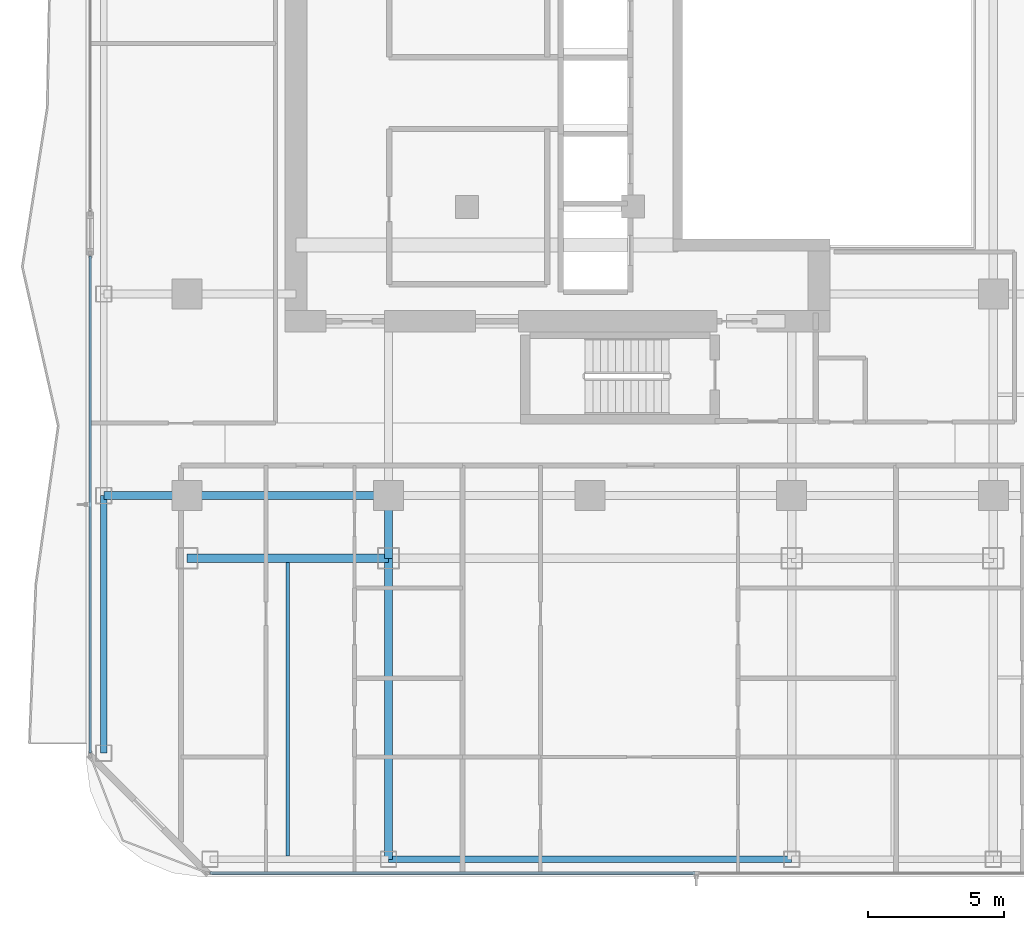
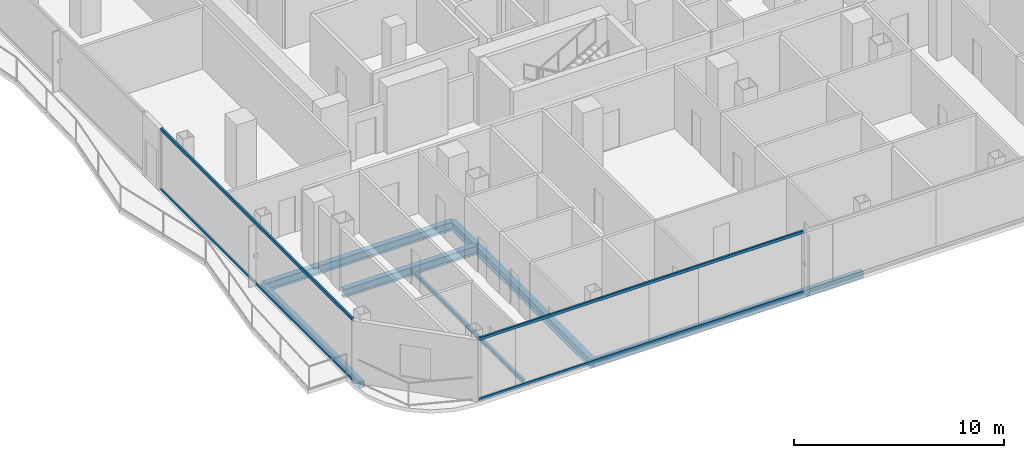
# One storey, part 3 of 27: 8 beams, 4 members, 2 elements without a shape of their own.
"""IFC4 building model written with IfcOpenShell, lengths in metres."""

import ifcopenshell
import ifcopenshell.guid

model = None  # the IFC model being written
_history = None  # IfcOwnerHistory: only IFC2X3 demands one
_inside = {}  # id of a spatial element -> (the spatial element, [elements in it])
_under = {}  # id of a project, library or spatial element -> (it, [spatial elements below it])
_declared = {}  # id of a project -> (the project, [libraries it declares])
_typed = {}  # id of a type object -> (the type object, [elements of that type])
_made_of = {}  # id of a material, layer set ... -> (it, [elements and type objects made of it])


def new_model(schema):
    """Start an empty IFC model of exactly this schema.

    Asked for "IFC4X3", IfcOpenShell would pick the latest addendum, in which some entities
    have other attributes; the version numbers below select the first issue.
    IFC2X3 requires an IfcOwnerHistory on every rooted entity: one is made here for all.
    """
    global model, _history
    if schema == "IFC4X3":
        model = ifcopenshell.file(schema_version=(4, 3, 0, 0))
    else:
        model = ifcopenshell.file(schema=schema)
    _inside.clear()
    _under.clear()
    _declared.clear()
    _typed.clear()
    _made_of.clear()
    _history = None
    if model.schema == "IFC2X3":
        org = make("IfcOrganization", Name="unknown")
        user = make(
            "IfcPersonAndOrganization",
            ThePerson=make("IfcPerson", FamilyName="unknown"),
            TheOrganization=org,
        )
        app = make(
            "IfcApplication",
            ApplicationDeveloper=org,
            Version="unknown",
            ApplicationFullName="unknown",
            ApplicationIdentifier="unknown",
        )
        _history = make(
            "IfcOwnerHistory",
            OwningUser=user,
            OwningApplication=app,
            ChangeAction="ADDED",
            CreationDate=0,
        )
    return model


def make(cls, **values):
    """One entity of the class cls with the attributes given. An attribute that is None is left unset."""
    return model.create_entity(
        cls, **{name: value for name, value in values.items() if value is not None}
    )


def rooted(cls, **values):
    """An entity with a GlobalId (a new one), such as an element, a storey or a relation."""
    return make(cls, GlobalId=ifcopenshell.guid.new(), OwnerHistory=_history, **values)


def si_unit(unit_type, name, prefix=None):
    """IfcSIUnit, for example si_unit("LENGTHUNIT", "METRE", prefix="MILLI")."""
    return make("IfcSIUnit", UnitType=unit_type, Prefix=prefix, Name=name)


def assignment(units):
    """IfcUnitAssignment: the units of a project."""
    return None if units is None else make("IfcUnitAssignment", Units=units)


def point(xyz):
    """IfcCartesianPoint."""
    return None if xyz is None else make("IfcCartesianPoint", Coordinates=xyz)


def direction(xyz):
    """IfcDirection."""
    return None if xyz is None else make("IfcDirection", DirectionRatios=xyz)


def frame(location, z_axis=None, x_axis=None):
    """IfcAxis2Placement3D, a coordinate frame: its origin and axes. An axis left out is left unset."""
    return make(
        "IfcAxis2Placement3D",
        Location=point(location),
        Axis=direction(z_axis),
        RefDirection=direction(x_axis),
    )


def frame_2d(location, x_axis=None):
    """IfcAxis2Placement2D, a coordinate frame in the plane: its origin and x axis."""
    return make(
        "IfcAxis2Placement2D", Location=point(location), RefDirection=direction(x_axis)
    )


def origin():
    """The frame at (0, 0, 0) with its axes left unset."""
    return frame((0.0, 0.0, 0.0))


def origin_2d():
    """The frame at (0, 0) in the plane with its x axis left unset."""
    return frame_2d((0.0, 0.0))


def place(relative_to, where):
    """IfcLocalPlacement: puts the frame where relative to a parent placement (None: the world)."""
    return make(
        "IfcLocalPlacement", PlacementRelTo=relative_to, RelativePlacement=where
    )


def context(
    kind, dimensions, precision=None, world=None, true_north=None, identifier=None
):
    """IfcGeometricRepresentationContext, for example the 3D "Model" context."""
    return make(
        "IfcGeometricRepresentationContext",
        ContextIdentifier=identifier,
        ContextType=kind,
        CoordinateSpaceDimension=dimensions,
        Precision=precision,
        WorldCoordinateSystem=world,
        TrueNorth=true_north,
    )


def subcontext(parent, identifier, kind, view, scale=None):
    """IfcGeometricRepresentationSubContext, for example "Body" below "Model"."""
    return make(
        "IfcGeometricRepresentationSubContext",
        ContextIdentifier=identifier,
        ContextType=kind,
        ParentContext=parent,
        TargetScale=scale,
        TargetView=view,
    )


def project(units=None, contexts=None):
    """IfcProject with its units and contexts."""
    return rooted(
        "IfcProject",
        Name="project",
        RepresentationContexts=contexts,
        UnitsInContext=assignment(units),
    )


def spatial(cls, under=None, at=None, **own):
    """A site, building, storey or space (cls), placed at a placement, below another one or the project."""
    s = rooted(cls, ObjectPlacement=at, **own)
    if under is not None:
        _under.setdefault(under.id(), (under, []))[1].append(s)
    return s


def profile(cls, at=None, kind="AREA", **sizes):
    """A parametric profile (cls). Its sizes go by their IFC names, for example OverallWidth=200.0."""
    return make(cls, ProfileType=kind, Position=at, **sizes)


def hollow_rectangle(**sizes):
    """IfcRectangleHollowProfileDef."""
    return profile("IfcRectangleHollowProfileDef", **sizes)


def i_section(**sizes):
    """IfcIShapeProfileDef."""
    return profile("IfcIShapeProfileDef", **sizes)


def extrude(swept, where, along, depth):
    """IfcExtrudedAreaSolid: the profile swept, set in the frame where, extruded along a direction by depth."""
    return make(
        "IfcExtrudedAreaSolid",
        SweptArea=swept,
        Position=where,
        ExtrudedDirection=direction(along),
        Depth=depth,
    )


def shape(context_of_items, identifier, shape_type, items):
    """IfcShapeRepresentation: the items that make up one representation, for example the "Body"."""
    return make(
        "IfcShapeRepresentation",
        ContextOfItems=context_of_items,
        RepresentationIdentifier=identifier,
        RepresentationType=shape_type,
        Items=items,
    )


def material(Name=None, Category=None):
    """IfcMaterial."""
    return make("IfcMaterial", Name=Name, Category=Category)


def layer(
    of_material, thickness, ventilated=None, Name=None, Category=None, Priority=None
):
    """IfcMaterialLayer: one layer of a wall or slab, of a material (None: an air gap)."""
    return make(
        "IfcMaterialLayer",
        Material=of_material,
        LayerThickness=thickness,
        IsVentilated=ventilated,
        Name=Name,
        Category=Category,
        Priority=Priority,
    )


def layer_set(layers, Name=None):
    """IfcMaterialLayerSet."""
    return make("IfcMaterialLayerSet", MaterialLayers=layers, LayerSetName=Name)


def material_profile(
    of_material, cross_section, Name=None, Category=None, Priority=None
):
    """IfcMaterialProfile: a cross section and its material."""
    return make(
        "IfcMaterialProfile",
        Name=Name,
        Material=of_material,
        Profile=cross_section,
        Priority=Priority,
        Category=Category,
    )


def profile_set(profiles, Name=None, composite=None):
    """IfcMaterialProfileSet."""
    return make(
        "IfcMaterialProfileSet",
        Name=Name,
        MaterialProfiles=profiles,
        CompositeProfile=composite,
    )


def made_of(thing, what):
    """Note that an element or type object is made of a material, layer set ...; save() writes the relation."""
    if what is not None:
        _made_of.setdefault(what.id(), (what, []))[1].append(thing)
    return thing


def type_object(cls, material=None, **own):
    """A type object (cls), such as IfcWallType, which elements share."""
    return made_of(rooted(cls, **own), material)


def element(
    cls,
    number,
    at=None,
    inside=None,
    cuts=None,
    type_object=None,
    material=None,
    context=None,
    identifier="Body",
    shape_type=None,
    held_by="IfcProductDefinitionShape",
    body=None,
    shapes=None,
    **own,
):
    """One element of the class cls, such as IfcWall. Its Tag is "e" and its number.

    at: its placement. inside: the storey or other place that contains it. cuts: it is an
    opening in that element (IfcRelVoidsElement). A single representation is given by context,
    identifier, shape_type and body (its items); several are given by shapes. held_by: the class
    of the entity that holds the representations. save() writes the other relations.
    """
    e = rooted(cls, Tag="e%d" % number, ObjectPlacement=at, **own)
    if body is not None:
        shapes = [shape(context, identifier, shape_type, body)]
    if shapes is not None:
        e.Representation = make(held_by, Representations=shapes)
    if inside is not None:
        _inside.setdefault(inside.id(), (inside, []))[1].append(e)
    if cuts is not None:
        rooted(
            "IfcRelVoidsElement", RelatingBuildingElement=cuts, RelatedOpeningElement=e
        )
    if type_object is not None:
        _typed.setdefault(type_object.id(), (type_object, []))[1].append(e)
    return made_of(e, material)


def aggregate(whole, parts):
    """IfcRelAggregates: a whole, such as a stair, and the parts it consists of."""
    return rooted("IfcRelAggregates", RelatingObject=whole, RelatedObjects=parts)


def save(model, path):
    """Write the relations noted so far, then the file.

    IfcRelAggregates (storeys below a building ...), IfcRelContainedInSpatialStructure (elements
    in a storey), IfcRelDefinesByType, IfcRelAssociatesMaterial and IfcRelDeclares: one each for
    every whole, place, type object, material and project.
    """
    for whole, parts in _under.values():
        aggregate(whole, parts)
    for where, things in _inside.values():
        rooted(
            "IfcRelContainedInSpatialStructure",
            RelatedElements=things,
            RelatingStructure=where,
        )
    for kind, things in _typed.values():
        rooted("IfcRelDefinesByType", RelatedObjects=things, RelatingType=kind)
    for what, things in _made_of.values():
        rooted("IfcRelAssociatesMaterial", RelatedObjects=things, RelatingMaterial=what)
    for by, libraries in _declared.values():
        rooted("IfcRelDeclares", RelatingContext=by, RelatedDefinitions=libraries)
    model.write(path)


model = new_model("IFC4")

# Units and contexts
model_context = context("Model", 3, precision=1e-05, world=origin(), true_north=direction((0.0, 1.0)))
body_context = subcontext(model_context, "Body", "Model", "MODEL_VIEW")
ifc_project = project(units=[si_unit("LENGTHUNIT", "METRE"), si_unit("AREAUNIT", "SQUARE_METRE"), si_unit("VOLUMEUNIT", "CUBIC_METRE"), si_unit("PLANEANGLEUNIT", "RADIAN"), si_unit("MASSUNIT", "GRAM", prefix="KILO")], contexts=[model_context])

# Site, building, storey
site_placement = place(None, origin())
site = spatial("IfcSite", under=ifc_project, at=site_placement, CompositionType="ELEMENT")
building_placement = place(site_placement, origin())
building = spatial("IfcBuilding", under=site, at=building_placement, Name="Khorvyn Point Tower", CompositionType="ELEMENT")
storey_placement = place(building_placement, frame((0.0, 0.0, 231.300048828125)))
storey = spatial("IfcBuildingStorey", under=building, at=storey_placement, Name="L57", CompositionType="ELEMENT", Elevation=231.300048828125)

# Curtain wall, members
ifc_material_1 = material(Name="Anodised aluminium 6063-T6 and laminated Low-E glass", Category="aluminium")
ifc_layer = layer(ifc_material_1, 0.18994140625)
ifc_layer_set = layer_set([ifc_layer], Name="Stick-Built Acoustic Curtain Wall CW-SYS-03")
curtain_wall_type = type_object("IfcCurtainWallType", Name="Stick-Built Acoustic Curtain Wall CW-SYS-03", PredefinedType="NOTDEFINED", material=ifc_layer_set)
curtain_wall_1_placement = place(storey_placement, origin())
curtain_wall_1 = element("IfcCurtainWall", 1, at=curtain_wall_1_placement, inside=storey, type_object=curtain_wall_type, Name="Curtain Wall", PredefinedType="NOTDEFINED")
ifc_material_2 = material(Name="Anodised aluminium 6063-T6", Category="aluminium")
ifc_material_profile_1 = material_profile(ifc_material_2, hollow_rectangle(XDim=0.10009765625, YDim=0.159912109375, WallThickness=0.00439453125, at=origin_2d()))
ifc_profile_set_1 = profile_set([ifc_material_profile_1], Name="Anodised aluminium 6063-T6 ALU-TRN-100x160")
member_type = type_object("IfcMemberType", Name="Anodised Aluminium 6063-T6 Transom ALU-TRN-100x160", PredefinedType="USERDEFINED", material=ifc_profile_set_1)
member_1_placement = place(storey_placement, frame((3.85009765625, -28.64990234375, 0.050048828125), z_axis=(-1.0, 0.0, 0.0), x_axis=(0.0, -1.0, 0.0)))
member_1 = element("IfcMember", 2, at=member_1_placement, type_object=member_type, Name="Transom", ObjectType="TRANSOM", PredefinedType="USERDEFINED", context=body_context, shape_type="SweptSolid", body=[
    extrude(hollow_rectangle(XDim=0.10009765625, YDim=0.159912109375, WallThickness=0.00439453125, at=origin_2d()), origin(), (0.0, 0.0, 1.0), 17.800048828125),
])
member_2_placement = place(storey_placement, frame((3.85009765625, -28.64990234375, 3.550048828125), z_axis=(-1.0, 0.0, 0.0), x_axis=(0.0, -1.0, 0.0)))
member_2 = element("IfcMember", 3, at=member_2_placement, type_object=member_type, Name="Transom", ObjectType="TRANSOM", PredefinedType="USERDEFINED", context=body_context, shape_type="SweptSolid", body=[
    extrude(hollow_rectangle(XDim=0.10009765625, YDim=0.159912109375, WallThickness=0.00439453125, at=origin_2d()), origin(), (0.0, 0.0, 1.0), 17.800048828125),
])
aggregate(curtain_wall_1, [member_1, member_2])

curtain_wall_2_placement = place(storey_placement, origin())
curtain_wall_2 = element("IfcCurtainWall", 4, at=curtain_wall_2_placement, inside=storey, type_object=curtain_wall_type, Name="Curtain Wall", PredefinedType="NOTDEFINED")
member_3_placement = place(storey_placement, frame((-18.35009765625, -24.25, 0.050048828125), z_axis=(0.0, 1.0, 0.0), x_axis=(-1.0, 0.0, 0.0)))
member_3 = element("IfcMember", 5, at=member_3_placement, type_object=member_type, Name="Transom", ObjectType="TRANSOM", PredefinedType="USERDEFINED", context=body_context, shape_type="SweptSolid", body=[
    extrude(hollow_rectangle(XDim=0.10009765625, YDim=0.159912109375, WallThickness=0.00439453125, at=origin_2d()), origin(), (0.0, 0.0, 1.0), 18.25),
])
member_4_placement = place(storey_placement, frame((-18.35009765625, -24.25, 3.550048828125), z_axis=(0.0, 1.0, 0.0), x_axis=(-1.0, 0.0, 0.0)))
member_4 = element("IfcMember", 6, at=member_4_placement, type_object=member_type, Name="Transom", ObjectType="TRANSOM", PredefinedType="USERDEFINED", context=body_context, shape_type="SweptSolid", body=[
    extrude(hollow_rectangle(XDim=0.10009765625, YDim=0.159912109375, WallThickness=0.00439453125, at=origin_2d()), origin(), (0.0, 0.0, 1.0), 18.25),
])
aggregate(curtain_wall_2, [member_3, member_4])

# Beams
ifc_material_3 = material(Name="Steel S355", Category="steel")
ifc_material_profile_2 = material_profile(ifc_material_3, i_section(OverallWidth=0.125, OverallDepth=0.25, WebThickness=0.006103515625, FlangeThickness=0.009033203125, at=origin_2d()))
ifc_profile_set_2 = profile_set([ifc_material_profile_2], Name="Steel S355 H250x125x6x9")
beam_type_1 = type_object("IfcBeamType", Name="Steel S355 Joist H250x125x6x9", PredefinedType="JOIST", material=ifc_profile_set_2)
beam_1_placement = place(storey_placement, frame((-11.10009765625, -28.02490234375, -0.344970703125), z_axis=(0.0, 1.0, 0.0), x_axis=(-1.0, 0.0, 0.0)))
element("IfcBeam", 7, at=beam_1_placement, inside=storey, type_object=beam_type_1, Name="Beam", PredefinedType="JOIST", context=body_context, shape_type="SweptSolid", body=[
    extrude(i_section(OverallWidth=0.125, OverallDepth=0.25, WebThickness=0.006103515625, FlangeThickness=0.009033203125, at=origin_2d()), origin(), (0.0, 0.0, 1.0), 10.77490234375),
])
ifc_material_profile_3 = material_profile(ifc_material_3, i_section(OverallWidth=0.300048828125, OverallDepth=0.488037109375, WebThickness=0.010986328125, FlangeThickness=0.01806640625, at=origin_2d()))
ifc_profile_set_3 = profile_set([ifc_material_profile_3], Name="Steel S355 H488x300x11x18")
beam_type_2 = type_object("IfcBeamType", Name="Steel S355 Spandrel H488x300x11x18", PredefinedType="SPANDREL", material=ifc_profile_set_3)
beam_2_placement = place(storey_placement, frame((-17.85009765625, -14.800048828125, -0.464111328125), z_axis=(1.0, 0.0, 0.0), x_axis=(0.0, 1.0, 0.0)))
element("IfcBeam", 8, at=beam_2_placement, inside=storey, type_object=beam_type_2, Name="Beam", PredefinedType="SPANDREL", context=body_context, shape_type="SweptSolid", body=[
    extrude(i_section(OverallWidth=0.300048828125, OverallDepth=0.488037109375, WebThickness=0.010986328125, FlangeThickness=0.01806640625, at=origin_2d()), origin(), (0.0, 0.0, 1.0), 3.050048828125),
])
for number, where, z_axis, x_axis, name in (
    (9, (-14.800048828125, -14.800048828125, -0.464111328125), (1.0, 0.0, 0.0), (0.0, 1.0, 0.0), "Beam"),
    (10, (-14.800048828125, -17.10009765625, -0.464111328125), (1.0, 0.0, 0.0), (0.0, 1.0, 0.0), "Beam"),
):
    element("IfcBeam", number, at=place(storey_placement, frame(where, z_axis=z_axis, x_axis=x_axis)), inside=storey, type_object=beam_type_2, Name=name, PredefinedType="SPANDREL", context=body_context, shape_type="SweptSolid", body=[
        extrude(i_section(OverallWidth=0.300048828125, OverallDepth=0.488037109375, WebThickness=0.010986328125, FlangeThickness=0.01806640625, at=origin_2d()), origin(), (0.0, 0.0, 1.0), 7.400146484375),
    ])
beam_3_placement = place(storey_placement, frame((-7.39990234375, -28.14990234375, -0.464111328125), z_axis=(0.0, 1.0, 0.0), x_axis=(-1.0, 0.0, 0.0)))
element("IfcBeam", 11, at=beam_3_placement, inside=storey, type_object=beam_type_2, Name="Beam", PredefinedType="SPANDREL", context=body_context, shape_type="SweptSolid", body=[
    extrude(i_section(OverallWidth=0.300048828125, OverallDepth=0.488037109375, WebThickness=0.010986328125, FlangeThickness=0.01806640625, at=origin_2d()), origin(), (0.0, 0.0, 1.0), 11.0498046875),
])
beam_4_placement = place(storey_placement, frame((-7.39990234375, -17.10009765625, -0.464111328125), z_axis=(0.0, 1.0, 0.0), x_axis=(-1.0, 0.0, 0.0)))
element("IfcBeam", 12, at=beam_4_placement, inside=storey, type_object=beam_type_2, Name="Beam", PredefinedType="SPANDREL", context=body_context, shape_type="SweptSolid", body=[
    extrude(i_section(OverallWidth=0.300048828125, OverallDepth=0.488037109375, WebThickness=0.010986328125, FlangeThickness=0.01806640625, at=origin_2d()), origin(), (0.0, 0.0, 1.0), 2.300048828125),
])
ifc_material_profile_4 = material_profile(ifc_material_3, hollow_rectangle(XDim=0.25, YDim=0.39990234375, WallThickness=0.01611328125, at=origin_2d()))
ifc_profile_set_4 = profile_set([ifc_material_profile_4], Name="Steel S355 RHS400x250x16")
beam_type_3 = type_object("IfcBeamType", Name="Steel S355 Spandrel RHS400x250x16", PredefinedType="SPANDREL", material=ifc_profile_set_4)
beam_5_placement = place(storey_placement, frame((-7.39990234375, -28.14990234375, -0.420166015625), z_axis=(1.0, 0.0, 0.0), x_axis=(0.0, 1.0, 0.0)))
element("IfcBeam", 13, at=beam_5_placement, inside=storey, type_object=beam_type_3, Name="Beam", PredefinedType="SPANDREL", context=body_context, shape_type="SweptSolid", body=[
    extrude(hollow_rectangle(XDim=0.25, YDim=0.39990234375, WallThickness=0.01611328125, at=origin_2d()), origin(), (0.0, 0.0, 1.0), 14.7998046875),
])
beam_6_placement = place(storey_placement, frame((-17.85009765625, -24.25, -0.420166015625), z_axis=(0.0, 1.0, 0.0), x_axis=(-1.0, 0.0, 0.0)))
element("IfcBeam", 14, at=beam_6_placement, inside=storey, type_object=beam_type_3, Name="Beam", PredefinedType="SPANDREL", context=body_context, shape_type="SweptSolid", body=[
    extrude(hollow_rectangle(XDim=0.25, YDim=0.39990234375, WallThickness=0.01611328125, at=origin_2d()), origin(), (0.0, 0.0, 1.0), 9.449951171875),
])

save(model, "model.ifc")
